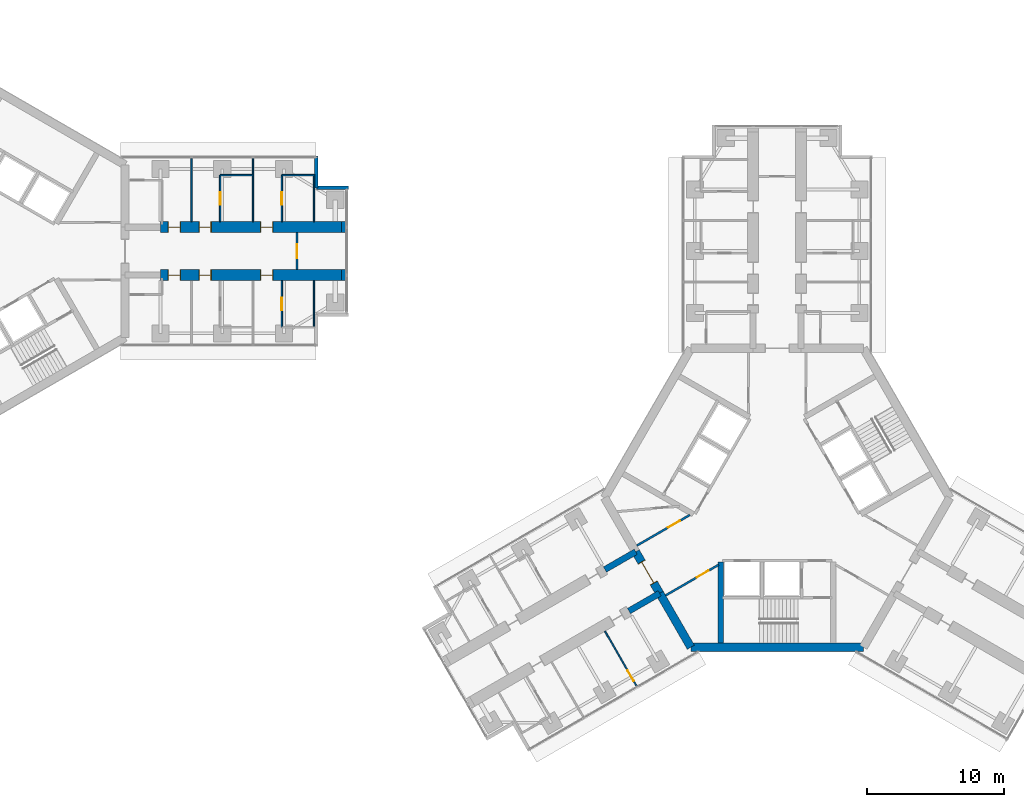
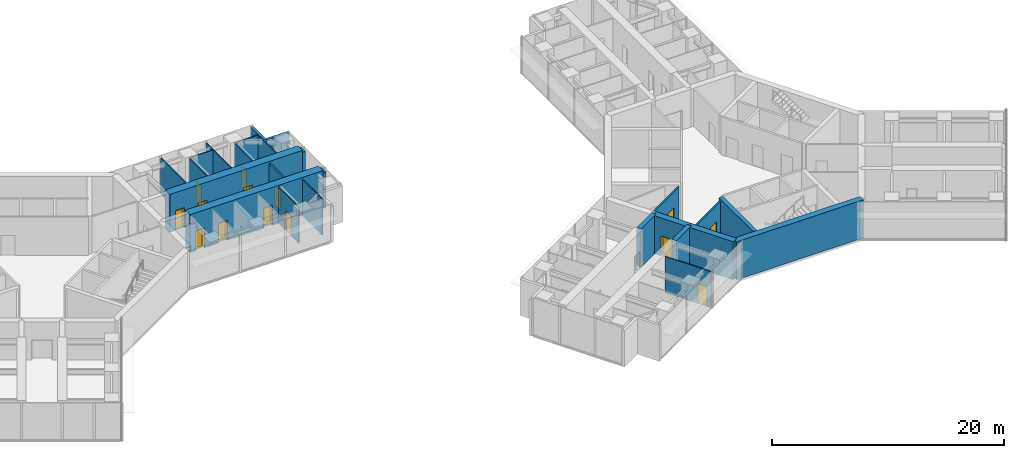
# One storey, part 18 of 23: 25 walls, 14 doors, 14 openings.
"""IFC4 building model written with IfcOpenShell, lengths in metres."""

from ifc_helpers import new_model, si_unit, direction, frame, frame_2d, origin, place, context, subcontext, project, spatial, rectangle, extrude, material, layer, layer_set, type_object, element, fill, save


model = new_model("IFC4")

# Units and contexts
model_context = context("Model", 3, precision=1e-05, world=origin(), true_north=direction((0.0, 1.0)))
body_context = subcontext(model_context, "Body", "Model", "MODEL_VIEW")
ifc_project = project(units=[si_unit("LENGTHUNIT", "METRE"), si_unit("AREAUNIT", "SQUARE_METRE"), si_unit("VOLUMEUNIT", "CUBIC_METRE"), si_unit("PLANEANGLEUNIT", "RADIAN"), si_unit("MASSUNIT", "GRAM", prefix="KILO")], contexts=[model_context])

# Site, building, storey
site_placement = place(None, origin())
site = spatial("IfcSite", under=ifc_project, at=site_placement, CompositionType="ELEMENT")
building_placement = place(site_placement, origin())
building = spatial("IfcBuilding", under=site, at=building_placement, Name="Upepo Twin Towers", CompositionType="ELEMENT")
storey_placement = place(building_placement, frame((0.0, 0.0, 157.5)))
storey = spatial("IfcBuildingStorey", under=building, at=storey_placement, Name="L38", CompositionType="ELEMENT", Elevation=157.5)

# Walls
ifc_material_1 = material(Name="Dense concrete blockwork", Category="masonry")
ifc_layer_1 = layer(ifc_material_1, 0.800048828125)
ifc_layer_set_1 = layer_set([ifc_layer_1], Name="Buttress closer 800, blockwork with fire-stopping to the curtain wall")
wall_type_1 = type_object("IfcWallType", Name="Buttress closer 800, blockwork with fire-stopping to the curtain wall", PredefinedType="PARTITIONING", material=ifc_layer_set_1)
for number, where, z_axis, x_axis, name in (
    (1, (26.699951171875, 1.75, 0.0), (0.0, 0.0, 1.0), (1.0, 0.0, 0.0), "T1 L38 wing A buttress closer L"),
    (2, (26.699951171875, -1.75, 0.0), (0.0, 0.0, 1.0), (1.0, 0.0, 0.0), "T1 L38 wing A buttress closer R"),
):
    element("IfcWall", number, at=place(storey_placement, frame(where, z_axis=z_axis, x_axis=x_axis)), inside=storey, type_object=wall_type_1, Name=name, PredefinedType="PARTITIONING", context=body_context, shape_type="SweptSolid", body=[
        extrude(rectangle(XDim=0.300048828125, YDim=0.800048828125, at=frame_2d((0.14990234375, 0.0))), origin(), (0.0, 0.0, 1.0), 3.800048828125),
    ])
ifc_material_2 = material(Name="Concrete C60/75", Category="concrete")
ifc_layer_2 = layer(ifc_material_2, 0.449951171875)
ifc_layer_set_2 = layer_set([ifc_layer_2], Name="Concrete C60/75")
wall_type_2 = type_object("IfcWallType", Name="Buttress wall 450 RC", PredefinedType="SHEAR", material=ifc_layer_set_2)
for number, where, z_axis, x_axis, name in (
    (3, (49.92822265625, -24.9697265625, 0.0), (0.0, 0.0, 1.0), (-0.866031863473, -0.499988811324, 0.0), "T2 wing B buttress wall L"),
    (4, (48.17822265625, -21.938720703125, 0.0), (0.0, 0.0, 1.0), (-0.866072649678, -0.499918158782, 0.0), "T2 wing B buttress wall R"),
):
    element("IfcWall", number, at=place(storey_placement, frame(where, z_axis=z_axis, x_axis=x_axis)), inside=storey, type_object=wall_type_2, Name=name, PredefinedType="SHEAR", context=body_context, shape_type="SweptSolid", body=[
        extrude(rectangle(XDim=2.591796875, YDim=0.449951171875, at=frame_2d((1.2958984375, 0.0))), origin(), (0.0, 0.0, 1.0), 4.0),
    ])

# Wall, openings, doors
ifc_material_3 = material(Name="Concrete C60/75", Category="concrete")
ifc_layer_3 = layer(ifc_material_3, 0.800048828125)
ifc_layer_set_3 = layer_set([ifc_layer_3], Name="Concrete C60/75")
wall_type_3 = type_object("IfcWallType", Name="Buttress wall 800 RC", PredefinedType="SHEAR", material=ifc_layer_set_3)
wall_1_placement = place(storey_placement, frame((13.5, 1.75, 0.0), z_axis=(0.0, 0.0, 1.0), x_axis=(1.0, 0.0, 0.0)))
wall_1 = element("IfcWall", 5, at=wall_1_placement, inside=storey, type_object=wall_type_3, Name="T1 wing A buttress wall L part 2", PredefinedType="SHEAR", context=body_context, shape_type="SweptSolid", body=[
    extrude(rectangle(XDim=13.199951171875, YDim=0.800048828125, at=frame_2d((6.60009765625, 0.0))), origin(), (0.0, 0.0, 1.0), 4.0),
])
opening_1_placement = place(wall_1_placement, frame((0.550048828125, 0.0, 0.0)))
opening_1 = element("IfcOpeningElement", 6, at=opening_1_placement, cuts=wall_1, Name="Opening D11", PredefinedType="OPENING", context=body_context, shape_type="SweptSolid", body=[
    extrude(rectangle(XDim=0.89990234375, YDim=2.10009765625, at=frame_2d((0.449951171875, 1.050048828125))), frame((0.0, 0.409912109375, 0.0), z_axis=(0.0, -1.0, 0.0), x_axis=(1.0, 0.0, 0.0)), (0.0, 0.0, 1.0), 0.820068359375),
])
opening_2_placement = place(wall_1_placement, frame((2.800048828125, 0.0, 0.0)))
opening_2 = element("IfcOpeningElement", 7, at=opening_2_placement, cuts=wall_1, Name="Opening D14", PredefinedType="OPENING", context=body_context, shape_type="SweptSolid", body=[
    extrude(rectangle(XDim=0.89990234375, YDim=2.10009765625, at=frame_2d((0.449951171875, 1.050048828125))), frame((0.0, 0.409912109375, 0.0), z_axis=(0.0, -1.0, 0.0), x_axis=(1.0, 0.0, 0.0)), (0.0, 0.0, 1.0), 0.820068359375),
])
opening_3_placement = place(wall_1_placement, frame((7.300048828125, 0.0, 0.0)))
opening_3 = element("IfcOpeningElement", 8, at=opening_3_placement, cuts=wall_1, Name="Opening D14", PredefinedType="OPENING", context=body_context, shape_type="SweptSolid", body=[
    extrude(rectangle(XDim=0.89990234375, YDim=2.10009765625, at=frame_2d((0.449951171875, 1.050048828125))), frame((0.0, 0.409912109375, 0.0), z_axis=(0.0, -1.0, 0.0), x_axis=(1.0, 0.0, 0.0)), (0.0, 0.0, 1.0), 0.820068359375),
])
ifc_material_4 = material(Name="Timber doorset", Category="wood")
door_type_1 = type_object("IfcDoorType", Name="Office door 900 FD30", OperationType="SINGLE_SWING_LEFT", PredefinedType="DOOR", material=ifc_material_4)
door_1_placement = place(opening_2_placement, origin())
door_1 = element("IfcDoor", 9, at=door_1_placement, inside=storey, type_object=door_type_1, Name="T1 L38 staff office door", OperationType="SINGLE_SWING_LEFT", OverallHeight=2.10009765625, OverallWidth=0.89990234375, PredefinedType="DOOR", context=body_context, shape_type="SweptSolid", body=[
    extrude(rectangle(XDim=0.81990234375, YDim=2.06009765625, at=frame_2d((0.449951171875, 1.030029296875))), frame((0.0, 0.02490234375, 0.0), z_axis=(0.0, -1.0, 0.0), x_axis=(1.0, 0.0, 0.0)), (0.0, 0.0, 1.0), 0.050048828125),
    extrude(rectangle(XDim=0.04, YDim=2.10009765625, at=frame_2d((0.02001953125, 1.050048828125))), frame((0.0, 0.39990234375, 0.0), z_axis=(0.0, -1.0, 0.0), x_axis=(1.0, 0.0, 0.0)), (0.0, 0.0, 1.0), 0.799560546875),
    extrude(rectangle(XDim=0.04, YDim=2.10009765625, at=frame_2d((0.8798828125, 1.050048828125))), frame((0.0, 0.39990234375, 0.0), z_axis=(0.0, -1.0, 0.0), x_axis=(1.0, 0.0, 0.0)), (0.0, 0.0, 1.0), 0.799560546875),
    extrude(rectangle(XDim=0.81990234375, YDim=0.04, at=frame_2d((0.449951171875, 2.080078125))), frame((0.0, 0.39990234375, 0.0), z_axis=(0.0, -1.0, 0.0), x_axis=(1.0, 0.0, 0.0)), (0.0, 0.0, 1.0), 0.799560546875),
])
fill(opening_2, door_1)
door_2_placement = place(opening_3_placement, origin())
door_2 = element("IfcDoor", 10, at=door_2_placement, inside=storey, type_object=door_type_1, Name="T1 L38 postgraduate office door", OperationType="SINGLE_SWING_RIGHT", OverallHeight=2.10009765625, OverallWidth=0.89990234375, PredefinedType="DOOR", context=body_context, shape_type="SweptSolid", body=[
    extrude(rectangle(XDim=0.81990234375, YDim=2.06009765625, at=frame_2d((0.449951171875, 1.030029296875))), frame((0.0, 0.02490234375, 0.0), z_axis=(0.0, -1.0, 0.0), x_axis=(1.0, 0.0, 0.0)), (0.0, 0.0, 1.0), 0.050048828125),
    extrude(rectangle(XDim=0.04, YDim=2.10009765625, at=frame_2d((0.02001953125, 1.050048828125))), frame((0.0, 0.39990234375, 0.0), z_axis=(0.0, -1.0, 0.0), x_axis=(1.0, 0.0, 0.0)), (0.0, 0.0, 1.0), 0.799560546875),
    extrude(rectangle(XDim=0.04, YDim=2.10009765625, at=frame_2d((0.8798828125, 1.050048828125))), frame((0.0, 0.39990234375, 0.0), z_axis=(0.0, -1.0, 0.0), x_axis=(1.0, 0.0, 0.0)), (0.0, 0.0, 1.0), 0.799560546875),
    extrude(rectangle(XDim=0.81990234375, YDim=0.04, at=frame_2d((0.449951171875, 2.080078125))), frame((0.0, 0.39990234375, 0.0), z_axis=(0.0, -1.0, 0.0), x_axis=(1.0, 0.0, 0.0)), (0.0, 0.0, 1.0), 0.799560546875),
])
fill(opening_3, door_2)
ifc_material_5 = material(Name="Timber doorset", Category="wood")
door_type_2 = type_object("IfcDoorType", Name="Toilet door 900", OperationType="SINGLE_SWING_LEFT", PredefinedType="DOOR", material=ifc_material_5)
door_3_placement = place(opening_1_placement, origin())
door_3 = element("IfcDoor", 11, at=door_3_placement, inside=storey, type_object=door_type_2, Name="T1 L38 accessible wc door", OperationType="SINGLE_SWING_LEFT", OverallHeight=2.10009765625, OverallWidth=0.89990234375, PredefinedType="DOOR", context=body_context, shape_type="SweptSolid", body=[
    extrude(rectangle(XDim=0.81990234375, YDim=2.06009765625, at=frame_2d((0.449951171875, 1.030029296875))), frame((0.0, 0.02490234375, 0.0), z_axis=(0.0, -1.0, 0.0), x_axis=(1.0, 0.0, 0.0)), (0.0, 0.0, 1.0), 0.050048828125),
    extrude(rectangle(XDim=0.04, YDim=2.10009765625, at=frame_2d((0.02001953125, 1.050048828125))), frame((0.0, 0.39990234375, 0.0), z_axis=(0.0, -1.0, 0.0), x_axis=(1.0, 0.0, 0.0)), (0.0, 0.0, 1.0), 0.799560546875),
    extrude(rectangle(XDim=0.04, YDim=2.10009765625, at=frame_2d((0.8798828125, 1.050048828125))), frame((0.0, 0.39990234375, 0.0), z_axis=(0.0, -1.0, 0.0), x_axis=(1.0, 0.0, 0.0)), (0.0, 0.0, 1.0), 0.799560546875),
    extrude(rectangle(XDim=0.81990234375, YDim=0.04, at=frame_2d((0.449951171875, 2.080078125))), frame((0.0, 0.39990234375, 0.0), z_axis=(0.0, -1.0, 0.0), x_axis=(1.0, 0.0, 0.0)), (0.0, 0.0, 1.0), 0.799560546875),
])
fill(opening_1, door_3)

wall_2_placement = place(storey_placement, frame((13.5, -1.75, 0.0), z_axis=(0.0, 0.0, 1.0), x_axis=(1.0, 0.0, 0.0)))
wall_2 = element("IfcWall", 12, at=wall_2_placement, inside=storey, type_object=wall_type_3, Name="T1 wing A buttress wall R part 2", PredefinedType="SHEAR", context=body_context, shape_type="SweptSolid", body=[
    extrude(rectangle(XDim=13.199951171875, YDim=0.800048828125, at=frame_2d((6.60009765625, 0.0))), origin(), (0.0, 0.0, 1.0), 4.0),
])
opening_4_placement = place(wall_2_placement, frame((0.550048828125, 0.0, 0.0)))
opening_4 = element("IfcOpeningElement", 13, at=opening_4_placement, cuts=wall_2, Name="Opening D11", PredefinedType="OPENING", context=body_context, shape_type="SweptSolid", body=[
    extrude(rectangle(XDim=0.89990234375, YDim=2.10009765625, at=frame_2d((0.449951171875, 1.050048828125))), frame((0.0, 0.409912109375, 0.0), z_axis=(0.0, -1.0, 0.0), x_axis=(1.0, 0.0, 0.0)), (0.0, 0.0, 1.0), 0.820068359375),
])
opening_5_placement = place(wall_2_placement, frame((2.800048828125, 0.0, 0.0)))
opening_5 = element("IfcOpeningElement", 14, at=opening_5_placement, cuts=wall_2, Name="Opening D14", PredefinedType="OPENING", context=body_context, shape_type="SweptSolid", body=[
    extrude(rectangle(XDim=0.89990234375, YDim=2.10009765625, at=frame_2d((0.449951171875, 1.050048828125))), frame((0.0, 0.409912109375, 0.0), z_axis=(0.0, -1.0, 0.0), x_axis=(1.0, 0.0, 0.0)), (0.0, 0.0, 1.0), 0.820068359375),
])
opening_6_placement = place(wall_2_placement, frame((7.300048828125, 0.0, 0.0)))
opening_6 = element("IfcOpeningElement", 15, at=opening_6_placement, cuts=wall_2, Name="Opening D14", PredefinedType="OPENING", context=body_context, shape_type="SweptSolid", body=[
    extrude(rectangle(XDim=0.89990234375, YDim=2.10009765625, at=frame_2d((0.449951171875, 1.050048828125))), frame((0.0, 0.409912109375, 0.0), z_axis=(0.0, -1.0, 0.0), x_axis=(1.0, 0.0, 0.0)), (0.0, 0.0, 1.0), 0.820068359375),
])
door_4_placement = place(opening_5_placement, origin())
door_4 = element("IfcDoor", 16, at=door_4_placement, inside=storey, type_object=door_type_1, Name="T1 L38 meeting room door", OperationType="SINGLE_SWING_LEFT", OverallHeight=2.10009765625, OverallWidth=0.89990234375, PredefinedType="DOOR", context=body_context, shape_type="SweptSolid", body=[
    extrude(rectangle(XDim=0.81990234375, YDim=2.06009765625, at=frame_2d((0.449951171875, 1.030029296875))), frame((0.0, 0.02490234375, 0.0), z_axis=(0.0, -1.0, 0.0), x_axis=(1.0, 0.0, 0.0)), (0.0, 0.0, 1.0), 0.050048828125),
    extrude(rectangle(XDim=0.04, YDim=2.10009765625, at=frame_2d((0.02001953125, 1.050048828125))), frame((0.0, 0.39990234375, 0.0), z_axis=(0.0, -1.0, 0.0), x_axis=(1.0, 0.0, 0.0)), (0.0, 0.0, 1.0), 0.799560546875),
    extrude(rectangle(XDim=0.04, YDim=2.10009765625, at=frame_2d((0.8798828125, 1.050048828125))), frame((0.0, 0.39990234375, 0.0), z_axis=(0.0, -1.0, 0.0), x_axis=(1.0, 0.0, 0.0)), (0.0, 0.0, 1.0), 0.799560546875),
    extrude(rectangle(XDim=0.81990234375, YDim=0.04, at=frame_2d((0.449951171875, 2.080078125))), frame((0.0, 0.39990234375, 0.0), z_axis=(0.0, -1.0, 0.0), x_axis=(1.0, 0.0, 0.0)), (0.0, 0.0, 1.0), 0.799560546875),
])
fill(opening_5, door_4)
door_5_placement = place(opening_6_placement, origin())
door_5 = element("IfcDoor", 17, at=door_5_placement, inside=storey, type_object=door_type_1, Name="T1 L38 staff office door", OperationType="SINGLE_SWING_RIGHT", OverallHeight=2.10009765625, OverallWidth=0.89990234375, PredefinedType="DOOR", context=body_context, shape_type="SweptSolid", body=[
    extrude(rectangle(XDim=0.81990234375, YDim=2.06009765625, at=frame_2d((0.449951171875, 1.030029296875))), frame((0.0, 0.02490234375, 0.0), z_axis=(0.0, -1.0, 0.0), x_axis=(1.0, 0.0, 0.0)), (0.0, 0.0, 1.0), 0.050048828125),
    extrude(rectangle(XDim=0.04, YDim=2.10009765625, at=frame_2d((0.02001953125, 1.050048828125))), frame((0.0, 0.39990234375, 0.0), z_axis=(0.0, -1.0, 0.0), x_axis=(1.0, 0.0, 0.0)), (0.0, 0.0, 1.0), 0.799560546875),
    extrude(rectangle(XDim=0.04, YDim=2.10009765625, at=frame_2d((0.8798828125, 1.050048828125))), frame((0.0, 0.39990234375, 0.0), z_axis=(0.0, -1.0, 0.0), x_axis=(1.0, 0.0, 0.0)), (0.0, 0.0, 1.0), 0.799560546875),
    extrude(rectangle(XDim=0.81990234375, YDim=0.04, at=frame_2d((0.449951171875, 2.080078125))), frame((0.0, 0.39990234375, 0.0), z_axis=(0.0, -1.0, 0.0), x_axis=(1.0, 0.0, 0.0)), (0.0, 0.0, 1.0), 0.799560546875),
])
fill(opening_6, door_5)
door_6_placement = place(opening_4_placement, origin())
door_6 = element("IfcDoor", 18, at=door_6_placement, inside=storey, type_object=door_type_2, Name="T1 L38 toilets door", OperationType="SINGLE_SWING_LEFT", OverallHeight=2.10009765625, OverallWidth=0.89990234375, PredefinedType="DOOR", context=body_context, shape_type="SweptSolid", body=[
    extrude(rectangle(XDim=0.81990234375, YDim=2.06009765625, at=frame_2d((0.449951171875, 1.030029296875))), frame((0.0, 0.02490234375, 0.0), z_axis=(0.0, -1.0, 0.0), x_axis=(1.0, 0.0, 0.0)), (0.0, 0.0, 1.0), 0.050048828125),
    extrude(rectangle(XDim=0.04, YDim=2.10009765625, at=frame_2d((0.02001953125, 1.050048828125))), frame((0.0, 0.39990234375, 0.0), z_axis=(0.0, -1.0, 0.0), x_axis=(1.0, 0.0, 0.0)), (0.0, 0.0, 1.0), 0.799560546875),
    extrude(rectangle(XDim=0.04, YDim=2.10009765625, at=frame_2d((0.8798828125, 1.050048828125))), frame((0.0, 0.39990234375, 0.0), z_axis=(0.0, -1.0, 0.0), x_axis=(1.0, 0.0, 0.0)), (0.0, 0.0, 1.0), 0.799560546875),
    extrude(rectangle(XDim=0.81990234375, YDim=0.04, at=frame_2d((0.449951171875, 2.080078125))), frame((0.0, 0.39990234375, 0.0), z_axis=(0.0, -1.0, 0.0), x_axis=(1.0, 0.0, 0.0)), (0.0, 0.0, 1.0), 0.799560546875),
])
fill(opening_4, door_6)

# Wall, opening, door
ifc_material_6 = material(Name="Concrete C60/75", Category="concrete")
ifc_layer_4 = layer(ifc_material_6, 0.60009765625)
ifc_layer_set_4 = layer_set([ifc_layer_4], Name="Concrete C60/75")
wall_type_4 = type_object("IfcWallType", Name="Core wall 600 RC", PredefinedType="SHEAR", material=ifc_layer_set_4)
wall_3_placement = place(storey_placement, frame((48.17822265625, -21.938720703125, 0.0), z_axis=(0.0, 0.0, 1.0), x_axis=(0.500010275428, -0.866019471182, 0.0)))
wall_3 = element("IfcWall", 19, at=wall_3_placement, inside=storey, type_object=wall_type_4, Name="T2 core wall 120", PredefinedType="SHEAR", context=body_context, shape_type="SweptSolid", body=[
    extrude(rectangle(XDim=3.5, YDim=0.60009765625, at=frame_2d((1.75, 0.0))), origin(), (0.0, 0.0, 1.0), 4.0),
])
opening_7_placement = place(wall_3_placement, frame((0.85009765625, 0.0, 0.0)))
opening_7 = element("IfcOpeningElement", 20, at=opening_7_placement, cuts=wall_3, Name="Opening D2", PredefinedType="OPENING", context=body_context, shape_type="SweptSolid", body=[
    extrude(rectangle(XDim=1.800048828125, YDim=2.10009765625, at=frame_2d((0.89990234375, 1.050048828125))), frame((0.0, 0.31005859375, 0.0), z_axis=(0.0, -1.0, 0.0), x_axis=(1.0, 0.0, 0.0)), (0.0, 0.0, 1.0), 0.6201171875),
])
ifc_material_7 = material(Name="Timber doorset", Category="wood")
door_type_3 = type_object("IfcDoorType", Name="Corridor double door 1800 FD60", OperationType="DOUBLE_DOOR_DOUBLE_SWING", PredefinedType="DOOR", material=ifc_material_7)
door_7_placement = place(opening_7_placement, origin())
door_7 = element("IfcDoor", 21, at=door_7_placement, inside=storey, type_object=door_type_3, Name="T2 L38 wing B corridor door", OperationType="DOUBLE_DOOR_DOUBLE_SWING", OverallHeight=2.10009765625, OverallWidth=1.800048828125, PredefinedType="DOOR", context=body_context, shape_type="SweptSolid", body=[
    extrude(rectangle(XDim=1.720048828125, YDim=2.06009765625, at=frame_2d((0.89990234375, 1.030029296875))), frame((0.0, 0.02490234375, 0.0), z_axis=(0.0, -1.0, 0.0), x_axis=(1.0, 0.0, 0.0)), (0.0, 0.0, 1.0), 0.050048828125),
    extrude(rectangle(XDim=0.04, YDim=2.10009765625, at=frame_2d((0.02001953125, 1.050048828125))), frame((0.0, 0.2998046875, 0.0), z_axis=(0.0, -1.0, 0.0), x_axis=(1.0, 0.0, 0.0)), (0.0, 0.0, 1.0), 0.599609375),
    extrude(rectangle(XDim=0.04, YDim=2.10009765625, at=frame_2d((1.780029296875, 1.050048828125))), frame((0.0, 0.2998046875, 0.0), z_axis=(0.0, -1.0, 0.0), x_axis=(1.0, 0.0, 0.0)), (0.0, 0.0, 1.0), 0.599609375),
    extrude(rectangle(XDim=1.720048828125, YDim=0.04, at=frame_2d((0.89990234375, 2.080078125))), frame((0.0, 0.2998046875, 0.0), z_axis=(0.0, -1.0, 0.0), x_axis=(1.0, 0.0, 0.0)), (0.0, 0.0, 1.0), 0.599609375),
])
fill(opening_7, door_7)

# Walls
wall_4_placement = place(storey_placement, frame((49.92822265625, -24.9697265625, 0.0), z_axis=(0.0, 0.0, 1.0), x_axis=(0.499984222037, -0.866034513004, 0.0)))
element("IfcWall", 22, at=wall_4_placement, inside=storey, type_object=wall_type_4, Name="T2 core wall 120 L", PredefinedType="SHEAR", context=body_context, shape_type="SweptSolid", body=[
    extrude(rectangle(XDim=4.548095703125, YDim=0.60009765625, at=frame_2d((2.27392578125, 0.0))), origin(), (0.0, 0.0, 1.0), 4.0),
])
wall_5_placement = place(storey_placement, frame((52.2021484375, -28.908447265625, 0.0), z_axis=(0.0, 0.0, 1.0), x_axis=(1.0, 0.0, 0.0)))
element("IfcWall", 23, at=wall_5_placement, inside=storey, type_object=wall_type_4, Name="T2 core wall 180", PredefinedType="SHEAR", context=body_context, shape_type="SweptSolid", body=[
    extrude(rectangle(XDim=12.595703125, YDim=0.60009765625, at=frame_2d((6.2978515625, 0.0))), origin(), (0.0, 0.0, 1.0), 4.0),
])
ifc_material_8 = material(Name="Blockwork with anodised aluminium cladding", Category="masonry")
ifc_layer_5 = layer(ifc_material_8, 0.25)
ifc_layer_set_5 = layer_set([ifc_layer_5], Name="Notch cladding wall 250, pale metal")
wall_type_5 = type_object("IfcWallType", Name="Notch cladding wall 250, pale metal", PredefinedType="STANDARD", material=ifc_layer_set_5)
for number, where, z_axis, x_axis, name in (
    (24, (24.875, 6.949951171875, 0.0), (0.0, 0.0, 1.0), (0.0, -1.0, 0.0), "T1 L38 wing A notch wall L1"),
    (25, (24.875, 4.625, 0.0), (0.0, 0.0, 1.0), (1.0, 0.0, 0.0), "T1 L38 wing A notch wall L2"),
):
    element("IfcWall", number, at=place(storey_placement, frame(where, z_axis=z_axis, x_axis=x_axis)), inside=storey, type_object=wall_type_5, Name=name, PredefinedType="STANDARD", context=body_context, shape_type="SweptSolid", body=[
        extrude(rectangle(XDim=2.324951171875, YDim=0.25, at=frame_2d((1.16259765625, 0.0))), origin(), (0.0, 0.0, 1.0), 3.800048828125),
    ])
ifc_material_9 = material(Name="Gypsum board on steel studs", Category="steel")
ifc_layer_6 = layer(ifc_material_9, 0.10009765625)
ifc_layer_set_6 = layer_set([ifc_layer_6], Name="Office partition 100 stud")
wall_type_6 = type_object("IfcWallType", Name="Office partition 100 stud", PredefinedType="PARTITIONING", material=ifc_layer_set_6)
for number, where, z_axis, x_axis, name in (
    (26, (15.75, 2.14990234375, 0.0), (0.0, 0.0, 1.0), (0.0, 1.0, 0.0), "T1 partition AL at 15.75"),
    (27, (20.25, 2.14990234375, 0.0), (0.0, 0.0, 1.0), (0.0, 1.0, 0.0), "T1 partition AL at 20.25"),
):
    element("IfcWall", number, at=place(storey_placement, frame(where, z_axis=z_axis, x_axis=x_axis)), inside=storey, type_object=wall_type_6, Name=name, PredefinedType="PARTITIONING", context=body_context, shape_type="SweptSolid", body=[
        extrude(rectangle(XDim=4.60009765625, YDim=0.10009765625, at=frame_2d((2.300048828125, 0.0))), origin(), (0.0, 0.0, 1.0), 3.800048828125),
    ])
wall_6_placement = place(storey_placement, frame((17.85009765625, 5.550048828125, 0.0), z_axis=(0.0, 0.0, 1.0), x_axis=(1.0, 0.0, 0.0)))
element("IfcWall", 28, at=wall_6_placement, inside=storey, type_object=wall_type_6, Name="T1 inner room partition AL at 17.85", PredefinedType="PARTITIONING", context=body_context, shape_type="SweptSolid", body=[
    extrude(rectangle(XDim=2.39990234375, YDim=0.10009765625, at=frame_2d((1.199951171875, 0.0))), origin(), (0.0, 0.0, 1.0), 3.800048828125),
])

# Wall, opening, door
wall_7_placement = place(storey_placement, frame((17.85009765625, 2.14990234375, 0.0), z_axis=(0.0, 0.0, 1.0), x_axis=(0.0, 1.0, 0.0)))
wall_7 = element("IfcWall", 29, at=wall_7_placement, inside=storey, type_object=wall_type_6, Name="T1 inner room partition AL end at 17.85", PredefinedType="PARTITIONING", context=body_context, shape_type="SweptSolid", body=[
    extrude(rectangle(XDim=3.400146484375, YDim=0.10009765625, at=frame_2d((1.7001953125, 0.0))), origin(), (0.0, 0.0, 1.0), 3.800048828125),
])
opening_8_placement = place(wall_7_placement, frame((1.25, 0.0, 0.0)))
opening_8 = element("IfcOpeningElement", 30, at=opening_8_placement, cuts=wall_7, Name="Opening D14", PredefinedType="OPENING", context=body_context, shape_type="SweptSolid", body=[
    extrude(rectangle(XDim=0.89990234375, YDim=2.10009765625, at=frame_2d((0.449951171875, 1.050048828125))), frame((0.0, 0.06005859375, 0.0), z_axis=(0.0, -1.0, 0.0), x_axis=(1.0, 0.0, 0.0)), (0.0, 0.0, 1.0), 0.1201171875),
])
door_8_placement = place(opening_8_placement, origin())
door_8 = element("IfcDoor", 31, at=door_8_placement, inside=storey, type_object=door_type_1, Name="T1 L38 inner room door", OperationType="SINGLE_SWING_LEFT", OverallHeight=2.10009765625, OverallWidth=0.89990234375, PredefinedType="DOOR", context=body_context, shape_type="SweptSolid", body=[
    extrude(rectangle(XDim=0.89990234375, YDim=2.10009765625, at=frame_2d((0.449951171875, 1.050048828125))), frame((0.0, 0.02490234375, 0.0), z_axis=(0.0, -1.0, 0.0), x_axis=(1.0, 0.0, 0.0)), (0.0, 0.0, 1.0), 0.050048828125),
])
fill(opening_8, door_8)

# Wall
wall_8_placement = place(storey_placement, frame((22.35009765625, 5.550048828125, 0.0), z_axis=(0.0, 0.0, 1.0), x_axis=(1.0, 0.0, 0.0)))
element("IfcWall", 32, at=wall_8_placement, inside=storey, type_object=wall_type_6, Name="T1 inner room partition AL at 22.35", PredefinedType="PARTITIONING", context=body_context, shape_type="SweptSolid", body=[
    extrude(rectangle(XDim=2.39990234375, YDim=0.10009765625, at=frame_2d((1.199951171875, 0.0))), origin(), (0.0, 0.0, 1.0), 3.800048828125),
])

# Wall, opening, door
wall_9_placement = place(storey_placement, frame((22.35009765625, 2.14990234375, 0.0), z_axis=(0.0, 0.0, 1.0), x_axis=(0.0, 1.0, 0.0)))
wall_9 = element("IfcWall", 33, at=wall_9_placement, inside=storey, type_object=wall_type_6, Name="T1 inner room partition AL end at 22.35", PredefinedType="PARTITIONING", context=body_context, shape_type="SweptSolid", body=[
    extrude(rectangle(XDim=3.400146484375, YDim=0.10009765625, at=frame_2d((1.7001953125, 0.0))), origin(), (0.0, 0.0, 1.0), 3.800048828125),
])
opening_9_placement = place(wall_9_placement, frame((1.25, 0.0, 0.0)))
opening_9 = element("IfcOpeningElement", 34, at=opening_9_placement, cuts=wall_9, Name="Opening D14", PredefinedType="OPENING", context=body_context, shape_type="SweptSolid", body=[
    extrude(rectangle(XDim=0.89990234375, YDim=2.10009765625, at=frame_2d((0.449951171875, 1.050048828125))), frame((0.0, 0.06005859375, 0.0), z_axis=(0.0, -1.0, 0.0), x_axis=(1.0, 0.0, 0.0)), (0.0, 0.0, 1.0), 0.1201171875),
])
door_9_placement = place(opening_9_placement, origin())
door_9 = element("IfcDoor", 35, at=door_9_placement, inside=storey, type_object=door_type_1, Name="T1 L38 inner room door", OperationType="SINGLE_SWING_LEFT", OverallHeight=2.10009765625, OverallWidth=0.89990234375, PredefinedType="DOOR", context=body_context, shape_type="SweptSolid", body=[
    extrude(rectangle(XDim=0.89990234375, YDim=2.10009765625, at=frame_2d((0.449951171875, 1.050048828125))), frame((0.0, 0.02490234375, 0.0), z_axis=(0.0, -1.0, 0.0), x_axis=(1.0, 0.0, 0.0)), (0.0, 0.0, 1.0), 0.050048828125),
])
fill(opening_9, door_9)

# Wall
wall_10_placement = place(storey_placement, frame((24.699951171875, 2.14990234375, 0.0), z_axis=(0.0, 0.0, 1.0), x_axis=(0.0, 1.0, 0.0)))
element("IfcWall", 36, at=wall_10_placement, inside=storey, type_object=wall_type_6, Name="T1 inner room partition AL end at 24.75", PredefinedType="PARTITIONING", context=body_context, shape_type="SweptSolid", body=[
    extrude(rectangle(XDim=3.400146484375, YDim=0.10009765625, at=frame_2d((1.7001953125, 0.0))), origin(), (0.0, 0.0, 1.0), 3.800048828125),
])

# Wall, opening, door
wall_11_placement = place(storey_placement, frame((22.35009765625, -2.14990234375, 0.0), z_axis=(0.0, 0.0, 1.0), x_axis=(0.0, -1.0, 0.0)))
wall_11 = element("IfcWall", 37, at=wall_11_placement, inside=storey, type_object=wall_type_6, Name="T1 inner room partition AR end at 22.35", PredefinedType="PARTITIONING", context=body_context, shape_type="SweptSolid", body=[
    extrude(rectangle(XDim=3.400146484375, YDim=0.10009765625, at=frame_2d((1.7001953125, 0.0))), origin(), (0.0, 0.0, 1.0), 3.800048828125),
])
opening_10_placement = place(wall_11_placement, frame((1.25, 0.0, 0.0)))
opening_10 = element("IfcOpeningElement", 38, at=opening_10_placement, cuts=wall_11, Name="Opening D14", PredefinedType="OPENING", context=body_context, shape_type="SweptSolid", body=[
    extrude(rectangle(XDim=0.89990234375, YDim=2.10009765625, at=frame_2d((0.449951171875, 1.050048828125))), frame((0.0, 0.06005859375, 0.0), z_axis=(0.0, -1.0, 0.0), x_axis=(1.0, 0.0, 0.0)), (0.0, 0.0, 1.0), 0.1201171875),
])
door_10_placement = place(opening_10_placement, origin())
door_10 = element("IfcDoor", 39, at=door_10_placement, inside=storey, type_object=door_type_1, Name="T1 L38 inner room door", OperationType="SINGLE_SWING_LEFT", OverallHeight=2.10009765625, OverallWidth=0.89990234375, PredefinedType="DOOR", context=body_context, shape_type="SweptSolid", body=[
    extrude(rectangle(XDim=0.89990234375, YDim=2.10009765625, at=frame_2d((0.449951171875, 1.050048828125))), frame((0.0, 0.02490234375, 0.0), z_axis=(0.0, -1.0, 0.0), x_axis=(1.0, 0.0, 0.0)), (0.0, 0.0, 1.0), 0.050048828125),
])
fill(opening_10, door_10)

# Wall
wall_12_placement = place(storey_placement, frame((24.699951171875, -2.14990234375, 0.0), z_axis=(0.0, 0.0, 1.0), x_axis=(0.0, -1.0, 0.0)))
element("IfcWall", 40, at=wall_12_placement, inside=storey, type_object=wall_type_6, Name="T1 inner room partition AR end at 24.75", PredefinedType="PARTITIONING", context=body_context, shape_type="SweptSolid", body=[
    extrude(rectangle(XDim=3.400146484375, YDim=0.10009765625, at=frame_2d((1.7001953125, 0.0))), origin(), (0.0, 0.0, 1.0), 3.800048828125),
])

# Wall, opening, door
wall_13_placement = place(storey_placement, frame((45.93505859375, -27.737060546875, 0.0), z_axis=(0.0, 0.0, 1.0), x_axis=(0.500014953309, -0.866016770315, 0.0)))
wall_13 = element("IfcWall", 41, at=wall_13_placement, inside=storey, type_object=wall_type_6, Name="T2 partition BL at 15.75", PredefinedType="PARTITIONING", context=body_context, shape_type="SweptSolid", body=[
    extrude(rectangle(XDim=4.599853515625, YDim=0.10009765625, at=frame_2d((2.2998046875, 0.0))), origin(), (0.0, 0.0, 1.0), 3.800048828125),
])
opening_11_placement = place(wall_13_placement, frame((3.300048828125, 0.0, 0.0)))
opening_11 = element("IfcOpeningElement", 42, at=opening_11_placement, cuts=wall_13, Name="Opening D14", PredefinedType="OPENING", context=body_context, shape_type="SweptSolid", body=[
    extrude(rectangle(XDim=0.89990234375, YDim=2.10009765625, at=frame_2d((0.449951171875, 1.050048828125))), frame((0.0, 0.06005859375, 0.0), z_axis=(0.0, -1.0, 0.0), x_axis=(1.0, 0.0, 0.0)), (0.0, 0.0, 1.0), 0.1201171875),
])
door_11_placement = place(opening_11_placement, origin())
door_11 = element("IfcDoor", 43, at=door_11_placement, inside=storey, type_object=door_type_1, Name="T2 L38 connecting door", OperationType="SINGLE_SWING_RIGHT", OverallHeight=2.10009765625, OverallWidth=0.89990234375, PredefinedType="DOOR", context=body_context, shape_type="SweptSolid", body=[
    extrude(rectangle(XDim=0.89990234375, YDim=2.10009765625, at=frame_2d((0.449951171875, 1.050048828125))), frame((0.0, 0.02490234375, 0.0), z_axis=(0.0, -1.0, 0.0), x_axis=(1.0, 0.0, 0.0)), (0.0, 0.0, 1.0), 0.050048828125),
])
fill(opening_11, door_11)

# Wall
ifc_material_10 = material(Name="Concrete C40/50", Category="concrete")
ifc_layer_7 = layer(ifc_material_10, 0.39990234375)
ifc_layer_set_7 = layer_set([ifc_layer_7], Name="Concrete C40/50")
wall_type_7 = type_object("IfcWallType", Name="Shaft wall 400 RC", PredefinedType="SHEAR", material=ifc_layer_set_7)
wall_14_placement = place(storey_placement, frame((54.39990234375, -22.699951171875, 0.0), z_axis=(0.0, 0.0, 1.0), x_axis=(0.0, -1.0, 0.0)))
element("IfcWall", 44, at=wall_14_placement, inside=storey, type_object=wall_type_7, Name="T2 core W180 side wall S", PredefinedType="SHEAR", context=body_context, shape_type="SweptSolid", body=[
    extrude(rectangle(XDim=5.908447265625, YDim=0.39990234375, at=frame_2d((2.9541015625, 0.0))), origin(), (0.0, 0.0, 1.0), 4.0),
])

# Wall, opening, door
ifc_material_11 = material(Name="Gypsum board on steel studs", Category="steel")
ifc_layer_8 = layer(ifc_material_11, 0.14990234375)
ifc_layer_set_8 = layer_set([ifc_layer_8], Name="Teaching partition 150 acoustic")
wall_type_8 = type_object("IfcWallType", Name="Teaching partition 150 acoustic", PredefinedType="PARTITIONING", material=ifc_layer_set_8)
wall_15_placement = place(storey_placement, frame((23.449951171875, -1.35009765625, 0.0), z_axis=(0.0, 0.0, 1.0), x_axis=(0.0, 1.0, 0.0)))
wall_15 = element("IfcWall", 45, at=wall_15_placement, inside=storey, type_object=wall_type_8, Name="T1 corridor end partition A at 23.45", PredefinedType="PARTITIONING", context=body_context, shape_type="SweptSolid", body=[
    extrude(rectangle(XDim=2.7001953125, YDim=0.14990234375, at=frame_2d((1.35009765625, 0.0))), origin(), (0.0, 0.0, 1.0), 3.800048828125),
])
opening_12_placement = place(wall_15_placement, frame((0.85009765625, 0.0, 0.0)))
opening_12 = element("IfcOpeningElement", 46, at=opening_12_placement, cuts=wall_15, Name="Opening D1", PredefinedType="OPENING", context=body_context, shape_type="SweptSolid", body=[
    extrude(rectangle(XDim=1.0, YDim=2.10009765625, at=frame_2d((0.5, 1.050048828125))), frame((0.0, 0.0849609375, 0.0), z_axis=(0.0, -1.0, 0.0), x_axis=(1.0, 0.0, 0.0)), (0.0, 0.0, 1.0), 0.169921875),
])
ifc_material_12 = material(Name="Timber doorset", Category="wood")
door_type_4 = type_object("IfcDoorType", Name="Room door 1000 FD30", OperationType="SINGLE_SWING_LEFT", PredefinedType="DOOR", material=ifc_material_12)
door_12_placement = place(opening_12_placement, origin())
door_12 = element("IfcDoor", 47, at=door_12_placement, inside=storey, type_object=door_type_4, Name="T1 L38 breakout study room door", OperationType="SINGLE_SWING_LEFT", OverallHeight=2.10009765625, OverallWidth=1.0, PredefinedType="DOOR", context=body_context, shape_type="SweptSolid", body=[
    extrude(rectangle(XDim=1.0, YDim=2.10009765625, at=frame_2d((0.5, 1.050048828125))), frame((0.0, 0.02490234375, 0.0), z_axis=(0.0, -1.0, 0.0), x_axis=(1.0, 0.0, 0.0)), (0.0, 0.0, 1.0), 0.050048828125),
])
fill(opening_12, door_12)

wall_16_placement = place(storey_placement, frame((48.25439453125, -21.490478515625, 0.0), z_axis=(0.0, 0.0, 1.0), x_axis=(0.866025707867, 0.499999473313, 0.0)))
wall_16 = element("IfcWall", 48, at=wall_16_placement, inside=storey, type_object=wall_type_8, Name="T2 core room partition 1", PredefinedType="PARTITIONING", context=body_context, shape_type="SweptSolid", body=[
    extrude(rectangle(XDim=4.4755859375, YDim=0.14990234375, at=frame_2d((2.23779296875, 0.0))), origin(), (0.0, 0.0, 1.0), 3.800048828125),
])
opening_13_placement = place(wall_16_placement, frame((2.633056640625, 0.0, 0.0)))
opening_13 = element("IfcOpeningElement", 49, at=opening_13_placement, cuts=wall_16, Name="Opening D1", PredefinedType="OPENING", context=body_context, shape_type="SweptSolid", body=[
    extrude(rectangle(XDim=1.0, YDim=2.10009765625, at=frame_2d((0.5, 1.050048828125))), frame((0.0, 0.0849609375, 0.0), z_axis=(0.0, -1.0, 0.0), x_axis=(1.0, 0.0, 0.0)), (0.0, 0.0, 1.0), 0.169921875),
])
door_13_placement = place(opening_13_placement, origin())
door_13 = element("IfcDoor", 50, at=door_13_placement, inside=storey, type_object=door_type_4, Name="T2 L38 core room door K2", OperationType="SINGLE_SWING_RIGHT", OverallHeight=2.10009765625, OverallWidth=1.0, PredefinedType="DOOR", context=body_context, shape_type="SweptSolid", body=[
    extrude(rectangle(XDim=1.0, YDim=2.10009765625, at=frame_2d((0.5, 1.050048828125))), frame((0.0, 0.02490234375, 0.0), z_axis=(0.0, -1.0, 0.0), x_axis=(1.0, 0.0, 0.0)), (0.0, 0.0, 1.0), 0.050048828125),
])
fill(opening_13, door_13)

wall_17_placement = place(storey_placement, frame((54.230224609375, -22.889892578125, 0.0), z_axis=(0.0, 0.0, 1.0), x_axis=(-0.866025707867, -0.499999473313, 0.0)))
wall_17 = element("IfcWall", 51, at=wall_17_placement, inside=storey, type_object=wall_type_8, Name="T2 core room partition 6", PredefinedType="PARTITIONING", context=body_context, shape_type="SweptSolid", body=[
    extrude(rectangle(XDim=4.4755859375, YDim=0.14990234375, at=frame_2d((2.23779296875, 0.0))), origin(), (0.0, 0.0, 1.0), 3.800048828125),
])
opening_14_placement = place(wall_17_placement, frame((0.8427734375, 0.0, 0.0)))
opening_14 = element("IfcOpeningElement", 52, at=opening_14_placement, cuts=wall_17, Name="Opening D1", PredefinedType="OPENING", context=body_context, shape_type="SweptSolid", body=[
    extrude(rectangle(XDim=1.0, YDim=2.10009765625, at=frame_2d((0.5, 1.050048828125))), frame((0.0, 0.0849609375, 0.0), z_axis=(0.0, -1.0, 0.0), x_axis=(1.0, 0.0, 0.0)), (0.0, 0.0, 1.0), 0.169921875),
])
door_14_placement = place(opening_14_placement, origin())
door_14 = element("IfcDoor", 53, at=door_14_placement, inside=storey, type_object=door_type_4, Name="T2 L38 core room door K3", OperationType="SINGLE_SWING_LEFT", OverallHeight=2.10009765625, OverallWidth=1.0, PredefinedType="DOOR", context=body_context, shape_type="SweptSolid", body=[
    extrude(rectangle(XDim=1.0, YDim=2.10009765625, at=frame_2d((0.5, 1.050048828125))), frame((0.0, 0.02490234375, 0.0), z_axis=(0.0, -1.0, 0.0), x_axis=(1.0, 0.0, 0.0)), (0.0, 0.0, 1.0), 0.050048828125),
])
fill(opening_14, door_14)

save(model, "model.ifc")
